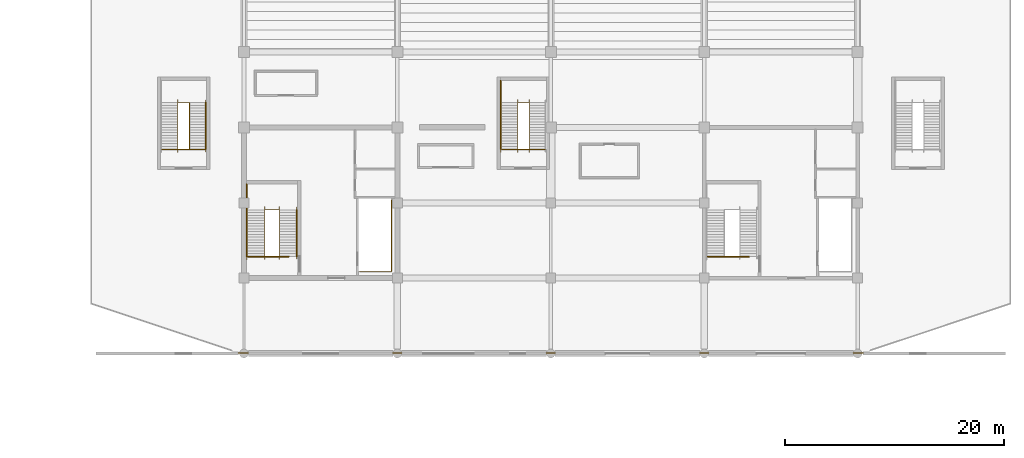
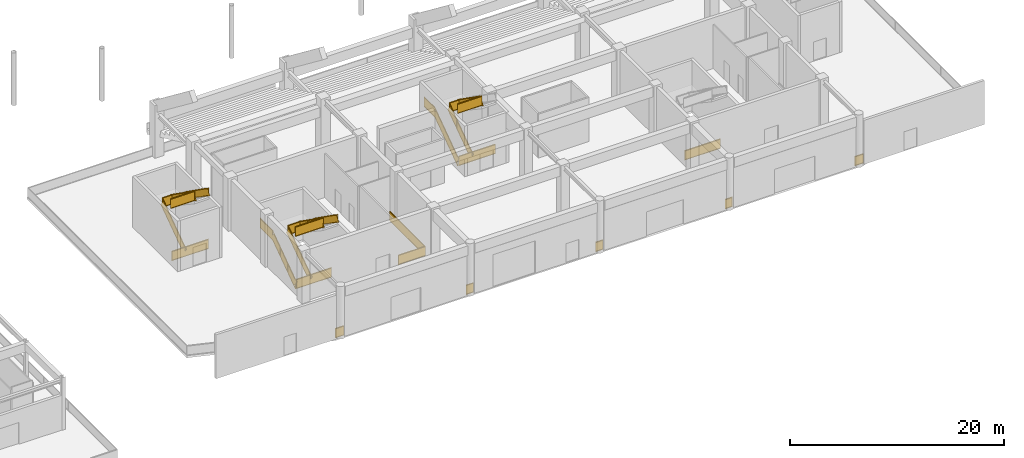
# One storey, part 59 of 73: 17 railings.
"""IFC4 building model written with IfcOpenShell, lengths in metres."""

from ifc_helpers import new_model, si_unit, direction, frame, origin, origin_2d, place, context, subcontext, project, spatial, rectangle, extrude, material, type_object, element, save


model = new_model("IFC4")

# Units and contexts
model_context = context("Model", 3, precision=1e-05, world=origin(), true_north=direction((0.0, 1.0)))
body_context = subcontext(model_context, "Body", "Model", "MODEL_VIEW")
ifc_project = project(units=[si_unit("LENGTHUNIT", "METRE"), si_unit("AREAUNIT", "SQUARE_METRE"), si_unit("VOLUMEUNIT", "CUBIC_METRE"), si_unit("PLANEANGLEUNIT", "RADIAN"), si_unit("MASSUNIT", "GRAM", prefix="KILO")], contexts=[model_context])

# Site, building, storey
site_placement = place(None, origin())
site = spatial("IfcSite", under=ifc_project, at=site_placement, CompositionType="ELEMENT")
building_placement = place(site_placement, origin())
building = spatial("IfcBuilding", under=site, at=building_placement, Name="Linyun Crest Stadium", CompositionType="ELEMENT")
storey_placement = place(building_placement, origin())
storey = spatial("IfcBuildingStorey", under=building, at=storey_placement, Name="L01", CompositionType="ELEMENT", Elevation=0.0)

# Railings
ifc_material_1 = material(Name="Galvanized and powder-coated steel bowl safety barrier", Category="steel")
railing_type_1 = type_object("IfcRailingType", Name="GR02", PredefinedType="GUARDRAIL", material=ifc_material_1)
railing_1_placement = place(storey_placement, frame((28.5, -94.06201171875, 0.0)))
element("IfcRailing", 1, at=railing_1_placement, inside=storey, type_object=railing_type_1, Name="Slab edge balustrade GR02 240", PredefinedType="GUARDRAIL", context=body_context, shape_type="SweptSolid", body=[
    extrude(rectangle(XDim=0.06005859375, YDim=0.06005859375, at=origin_2d()), frame((0.0, 0.0, 1.090087890625), z_axis=(-0.959737407008, -0.280898753271, 0.0), x_axis=(0.280898753271, -0.959737407008, 0.0)), (0.0, 0.0, 1.0), 0.010498046875),
    extrude(rectangle(XDim=0.030029296875, YDim=1.0, at=origin_2d()), frame((0.0, 0.0, 0.56005859375), z_axis=(-0.959737407008, -0.280898753271, 0.0), x_axis=(0.280898753271, -0.959737407008, 0.0)), (0.0, 0.0, 1.0), 0.010498046875),
    extrude(rectangle(XDim=0.06005859375, YDim=0.06005859375, at=origin_2d()), frame((0.0, 0.0, 0.030029296875), z_axis=(-0.959737407008, -0.280898753271, 0.0), x_axis=(0.280898753271, -0.959737407008, 0.0)), (0.0, 0.0, 1.0), 0.010498046875),
    extrude(rectangle(XDim=0.06005859375, YDim=0.06005859375, at=origin_2d()), frame((-0.010009765625, -0.0029296875, 1.090087890625), z_axis=(-1.0, 0.0, 0.0), x_axis=(0.0, -1.0, 0.0)), (0.0, 0.0, 1.0), 0.869873046875),
    extrude(rectangle(XDim=0.030029296875, YDim=1.0, at=origin_2d()), frame((-0.010009765625, -0.0029296875, 0.56005859375), z_axis=(-1.0, 0.0, 0.0), x_axis=(0.0, -1.0, 0.0)), (0.0, 0.0, 1.0), 0.869873046875),
    extrude(rectangle(XDim=0.06005859375, YDim=0.06005859375, at=origin_2d()), frame((-0.010009765625, -0.0029296875, 0.030029296875), z_axis=(-1.0, 0.0, 0.0), x_axis=(0.0, -1.0, 0.0)), (0.0, 0.0, 1.0), 0.869873046875),
    extrude(rectangle(XDim=0.050048828125, YDim=0.050048828125, at=origin_2d()), origin(), (0.0, 0.0, 1.0), 1.1201171875),
    extrude(rectangle(XDim=0.050048828125, YDim=0.050048828125, at=origin_2d()), frame((-0.8798828125, -0.0029296875, 0.0)), (0.0, 0.0, 1.0), 1.1201171875),
])
for number, where, name in (
    (2, (14.3798828125, -94.06494140625, 0.0), "Slab edge balustrade GR02 241"),
    (3, (0.3798828125, -94.06494140625, 0.0), "Slab edge balustrade GR02 242"),
    (4, (-13.6201171875, -94.06494140625, 0.0), "Slab edge balustrade GR02 243"),
):
    element("IfcRailing", number, at=place(storey_placement, frame(where)), inside=storey, type_object=railing_type_1, Name=name, PredefinedType="GUARDRAIL", context=body_context, shape_type="SweptSolid", body=[
        extrude(rectangle(XDim=0.06005859375, YDim=0.06005859375, at=origin_2d()), frame((0.0, 0.0, 1.090087890625), z_axis=(-1.0, 0.0, 0.0), x_axis=(0.0, -1.0, 0.0)), (0.0, 0.0, 1.0), 0.759765625),
        extrude(rectangle(XDim=0.030029296875, YDim=1.0, at=origin_2d()), frame((0.0, 0.0, 0.56005859375), z_axis=(-1.0, 0.0, 0.0), x_axis=(0.0, -1.0, 0.0)), (0.0, 0.0, 1.0), 0.759765625),
        extrude(rectangle(XDim=0.06005859375, YDim=0.06005859375, at=origin_2d()), frame((0.0, 0.0, 0.030029296875), z_axis=(-1.0, 0.0, 0.0), x_axis=(0.0, -1.0, 0.0)), (0.0, 0.0, 1.0), 0.759765625),
        extrude(rectangle(XDim=0.050048828125, YDim=0.050048828125, at=origin_2d()), origin(), (0.0, 0.0, 1.0), 1.1201171875),
        extrude(rectangle(XDim=0.050048828125, YDim=0.050048828125, at=origin_2d()), frame((-0.759765625, 0.0, 0.0)), (0.0, 0.0, 1.0), 1.1201171875),
    ])
railing_2_placement = place(storey_placement, frame((-27.6201171875, -94.06494140625, 0.0)))
element("IfcRailing", 5, at=railing_2_placement, inside=storey, type_object=railing_type_1, Name="Slab edge balustrade GR02 244", PredefinedType="GUARDRAIL", context=body_context, shape_type="SweptSolid", body=[
    extrude(rectangle(XDim=0.06005859375, YDim=0.06005859375, at=origin_2d()), frame((0.0, 0.0, 1.090087890625), z_axis=(-1.0, 0.0, 0.0), x_axis=(0.0, -1.0, 0.0)), (0.0, 0.0, 1.0), 0.869873046875),
    extrude(rectangle(XDim=0.030029296875, YDim=1.0, at=origin_2d()), frame((0.0, 0.0, 0.56005859375), z_axis=(-1.0, 0.0, 0.0), x_axis=(0.0, -1.0, 0.0)), (0.0, 0.0, 1.0), 0.869873046875),
    extrude(rectangle(XDim=0.06005859375, YDim=0.06005859375, at=origin_2d()), frame((0.0, 0.0, 0.030029296875), z_axis=(-1.0, 0.0, 0.0), x_axis=(0.0, -1.0, 0.0)), (0.0, 0.0, 1.0), 0.869873046875),
    extrude(rectangle(XDim=0.06005859375, YDim=0.06005859375, at=origin_2d()), frame((-0.869873046875, 0.0, 1.090087890625), z_axis=(-0.959737407008, 0.280898753271, 0.0), x_axis=(-0.280898753271, -0.959737407008, 0.0)), (0.0, 0.0, 1.0), 0.010498046875),
    extrude(rectangle(XDim=0.030029296875, YDim=1.0, at=origin_2d()), frame((-0.869873046875, 0.0, 0.56005859375), z_axis=(-0.959737407008, 0.280898753271, 0.0), x_axis=(-0.280898753271, -0.959737407008, 0.0)), (0.0, 0.0, 1.0), 0.010498046875),
    extrude(rectangle(XDim=0.06005859375, YDim=0.06005859375, at=origin_2d()), frame((-0.869873046875, 0.0, 0.030029296875), z_axis=(-0.959737407008, 0.280898753271, 0.0), x_axis=(-0.280898753271, -0.959737407008, 0.0)), (0.0, 0.0, 1.0), 0.010498046875),
    extrude(rectangle(XDim=0.050048828125, YDim=0.050048828125, at=origin_2d()), origin(), (0.0, 0.0, 1.0), 1.1201171875),
    extrude(rectangle(XDim=0.050048828125, YDim=0.050048828125, at=origin_2d()), frame((-0.869873046875, 0.0, 0.0)), (0.0, 0.0, 1.0), 1.1201171875),
])
railing_3_placement = place(storey_placement, frame((14.31494140625, -85.2900390625, 0.0)))
element("IfcRailing", 6, at=railing_3_placement, inside=storey, type_object=railing_type_1, Name="Slab edge balustrade GR02 248", PredefinedType="GUARDRAIL", context=body_context, shape_type="SweptSolid", body=[
    extrude(rectangle(XDim=0.06005859375, YDim=0.06005859375, at=origin_2d()), frame((0.0, 0.0, 1.090087890625), z_axis=(1.0, 0.0, 0.0), x_axis=(0.0, 1.0, 0.0)), (0.0, 0.0, 1.0), 3.78515625),
    extrude(rectangle(XDim=0.030029296875, YDim=1.0, at=origin_2d()), frame((0.0, 0.0, 0.56005859375), z_axis=(1.0, 0.0, 0.0), x_axis=(0.0, 1.0, 0.0)), (0.0, 0.0, 1.0), 3.78515625),
    extrude(rectangle(XDim=0.06005859375, YDim=0.06005859375, at=origin_2d()), frame((0.0, 0.0, 0.030029296875), z_axis=(1.0, 0.0, 0.0), x_axis=(0.0, 1.0, 0.0)), (0.0, 0.0, 1.0), 3.78515625),
    extrude(rectangle(XDim=0.050048828125, YDim=0.050048828125, at=origin_2d()), origin(), (0.0, 0.0, 1.0), 1.1201171875),
    extrude(rectangle(XDim=0.050048828125, YDim=0.050048828125, at=origin_2d()), frame((3.78515625, 0.0, 0.0)), (0.0, 0.0, 1.0), 1.1201171875),
])
railing_4_placement = place(storey_placement, frame((-4.4599609375, -75.510009765625, 0.0)))
element("IfcRailing", 7, at=railing_4_placement, inside=storey, type_object=railing_type_1, Name="Slab edge balustrade GR02 249", PredefinedType="GUARDRAIL", context=body_context, shape_type="SweptSolid", body=[
    extrude(rectangle(XDim=0.06005859375, YDim=0.06005859375, at=origin_2d()), frame((0.0, 0.0, 1.090087890625), z_axis=(1.0, 0.0, 0.0), x_axis=(0.0, 1.0, 0.0)), (0.0, 0.0, 1.0), 3.919921875),
    extrude(rectangle(XDim=0.030029296875, YDim=1.0, at=origin_2d()), frame((0.0, 0.0, 0.56005859375), z_axis=(1.0, 0.0, 0.0), x_axis=(0.0, 1.0, 0.0)), (0.0, 0.0, 1.0), 3.919921875),
    extrude(rectangle(XDim=0.06005859375, YDim=0.06005859375, at=origin_2d()), frame((0.0, 0.0, 0.030029296875), z_axis=(1.0, 0.0, 0.0), x_axis=(0.0, 1.0, 0.0)), (0.0, 0.0, 1.0), 3.919921875),
    extrude(rectangle(XDim=0.050048828125, YDim=0.050048828125, at=origin_2d()), origin(), (0.0, 0.0, 1.0), 1.1201171875),
    extrude(rectangle(XDim=0.050048828125, YDim=0.050048828125, at=origin_2d()), frame((3.919921875, 0.0, 0.0)), (0.0, 0.0, 1.0), 1.1201171875),
])
railing_5_placement = place(storey_placement, frame((-17.419921875, -86.659912109375, 0.0)))
element("IfcRailing", 8, at=railing_5_placement, inside=storey, type_object=railing_type_1, Name="Slab edge balustrade GR02 250", PredefinedType="GUARDRAIL", context=body_context, shape_type="SweptSolid", body=[
    extrude(rectangle(XDim=0.06005859375, YDim=0.06005859375, at=origin_2d()), frame((0.0, 0.0, 1.090087890625), z_axis=(1.0, 0.0, 0.0), x_axis=(0.0, 1.0, 0.0)), (0.0, 0.0, 1.0), 2.8798828125),
    extrude(rectangle(XDim=0.030029296875, YDim=1.0, at=origin_2d()), frame((0.0, 0.0, 0.56005859375), z_axis=(1.0, 0.0, 0.0), x_axis=(0.0, 1.0, 0.0)), (0.0, 0.0, 1.0), 2.8798828125),
    extrude(rectangle(XDim=0.06005859375, YDim=0.06005859375, at=origin_2d()), frame((0.0, 0.0, 0.030029296875), z_axis=(1.0, 0.0, 0.0), x_axis=(0.0, 1.0, 0.0)), (0.0, 0.0, 1.0), 2.8798828125),
    extrude(rectangle(XDim=0.06005859375, YDim=0.06005859375, at=origin_2d()), frame((2.8798828125, 0.0, 1.090087890625), z_axis=(0.0, 1.0, 0.0), x_axis=(-1.0, 0.0, 0.0)), (0.0, 0.0, 1.0), 6.5498046875),
    extrude(rectangle(XDim=0.030029296875, YDim=1.0, at=origin_2d()), frame((2.8798828125, 0.0, 0.56005859375), z_axis=(0.0, 1.0, 0.0), x_axis=(-1.0, 0.0, 0.0)), (0.0, 0.0, 1.0), 6.5498046875),
    extrude(rectangle(XDim=0.06005859375, YDim=0.06005859375, at=origin_2d()), frame((2.8798828125, 0.0, 0.030029296875), z_axis=(0.0, 1.0, 0.0), x_axis=(-1.0, 0.0, 0.0)), (0.0, 0.0, 1.0), 6.5498046875),
    extrude(rectangle(XDim=0.050048828125, YDim=0.050048828125, at=origin_2d()), origin(), (0.0, 0.0, 1.0), 1.1201171875),
    extrude(rectangle(XDim=0.050048828125, YDim=0.050048828125, at=origin_2d()), frame((2.8798828125, 0.0, 0.0)), (0.0, 0.0, 1.0), 1.1201171875),
    extrude(rectangle(XDim=0.050048828125, YDim=0.050048828125, at=origin_2d()), frame((2.8798828125, 3.27490234375, 0.0)), (0.0, 0.0, 1.0), 1.1201171875),
    extrude(rectangle(XDim=0.050048828125, YDim=0.050048828125, at=origin_2d()), frame((2.8798828125, 6.5498046875, 0.0)), (0.0, 0.0, 1.0), 1.1201171875),
])
railing_6_placement = place(storey_placement, frame((-27.635009765625, -85.2900390625, 0.0)))
element("IfcRailing", 9, at=railing_6_placement, inside=storey, type_object=railing_type_1, Name="Slab edge balustrade GR02 251", PredefinedType="GUARDRAIL", context=body_context, shape_type="SweptSolid", body=[
    extrude(rectangle(XDim=0.06005859375, YDim=0.06005859375, at=origin_2d()), frame((0.0, 0.0, 1.090087890625), z_axis=(1.0, 0.0, 0.0), x_axis=(0.0, 1.0, 0.0)), (0.0, 0.0, 1.0), 3.735107421875),
    extrude(rectangle(XDim=0.030029296875, YDim=1.0, at=origin_2d()), frame((0.0, 0.0, 0.56005859375), z_axis=(1.0, 0.0, 0.0), x_axis=(0.0, 1.0, 0.0)), (0.0, 0.0, 1.0), 3.735107421875),
    extrude(rectangle(XDim=0.06005859375, YDim=0.06005859375, at=origin_2d()), frame((0.0, 0.0, 0.030029296875), z_axis=(1.0, 0.0, 0.0), x_axis=(0.0, 1.0, 0.0)), (0.0, 0.0, 1.0), 3.735107421875),
    extrude(rectangle(XDim=0.050048828125, YDim=0.050048828125, at=origin_2d()), origin(), (0.0, 0.0, 1.0), 1.1201171875),
    extrude(rectangle(XDim=0.050048828125, YDim=0.050048828125, at=origin_2d()), frame((3.735107421875, 0.0, 0.0)), (0.0, 0.0, 1.0), 1.1201171875),
])
railing_7_placement = place(storey_placement, frame((-35.4599609375, -75.510009765625, 0.0)))
element("IfcRailing", 10, at=railing_7_placement, inside=storey, type_object=railing_type_1, Name="Slab edge balustrade GR02 252", PredefinedType="GUARDRAIL", context=body_context, shape_type="SweptSolid", body=[
    extrude(rectangle(XDim=0.06005859375, YDim=0.06005859375, at=origin_2d()), frame((0.0, 0.0, 1.090087890625), z_axis=(1.0, 0.0, 0.0), x_axis=(0.0, 1.0, 0.0)), (0.0, 0.0, 1.0), 3.919921875),
    extrude(rectangle(XDim=0.030029296875, YDim=1.0, at=origin_2d()), frame((0.0, 0.0, 0.56005859375), z_axis=(1.0, 0.0, 0.0), x_axis=(0.0, 1.0, 0.0)), (0.0, 0.0, 1.0), 3.919921875),
    extrude(rectangle(XDim=0.06005859375, YDim=0.06005859375, at=origin_2d()), frame((0.0, 0.0, 0.030029296875), z_axis=(1.0, 0.0, 0.0), x_axis=(0.0, 1.0, 0.0)), (0.0, 0.0, 1.0), 3.919921875),
    extrude(rectangle(XDim=0.050048828125, YDim=0.050048828125, at=origin_2d()), origin(), (0.0, 0.0, 1.0), 1.1201171875),
    extrude(rectangle(XDim=0.050048828125, YDim=0.050048828125, at=origin_2d()), frame((3.919921875, 0.0, 0.0)), (0.0, 0.0, 1.0), 1.1201171875),
])
ifc_material_2 = material(Name="Painted steel stairwell safety guard", Category="steel")
railing_type_2 = type_object("IfcRailingType", Name="GR03", PredefinedType="GUARDRAIL", material=ifc_material_2)
railing_8_placement = place(storey_placement, frame((-27.7451171875, -85.260009765625, 0.0)))
element("IfcRailing", 11, at=railing_8_placement, inside=storey, type_object=railing_type_2, Name="STR-09-L01 outer guard", PredefinedType="GUARDRAIL", context=body_context, shape_type="SweptSolid", body=[
    extrude(rectangle(XDim=0.06005859375, YDim=0.06005859375, at=origin_2d()), frame((0.0, 0.0, 1.090087890625), z_axis=(0.0, 0.816967863265, 0.576683197599), x_axis=(-1.0, 0.0, 0.0)), (0.0, 0.0, 1.0), 5.2021484375),
    extrude(rectangle(XDim=0.030029296875, YDim=1.0, at=origin_2d()), frame((0.0, 0.0, 0.56005859375), z_axis=(0.0, 0.816967863265, 0.576683197599), x_axis=(-1.0, 0.0, 0.0)), (0.0, 0.0, 1.0), 5.2021484375),
    extrude(rectangle(XDim=0.06005859375, YDim=0.06005859375, at=origin_2d()), frame((0.0, 0.0, 0.030029296875), z_axis=(0.0, 0.816967863265, 0.576683197599), x_axis=(-1.0, 0.0, 0.0)), (0.0, 0.0, 1.0), 5.2021484375),
    extrude(rectangle(XDim=0.06005859375, YDim=0.06005859375, at=origin_2d()), frame((0.0, 4.25, 4.090087890625), z_axis=(0.0, 1.0, 0.0), x_axis=(-1.0, 0.0, 0.0)), (0.0, 0.0, 1.0), 2.330078125),
    extrude(rectangle(XDim=0.030029296875, YDim=1.0, at=origin_2d()), frame((0.0, 4.25, 3.56005859375), z_axis=(0.0, 1.0, 0.0), x_axis=(-1.0, 0.0, 0.0)), (0.0, 0.0, 1.0), 2.330078125),
    extrude(rectangle(XDim=0.06005859375, YDim=0.06005859375, at=origin_2d()), frame((0.0, 4.25, 3.030029296875), z_axis=(0.0, 1.0, 0.0), x_axis=(-1.0, 0.0, 0.0)), (0.0, 0.0, 1.0), 2.330078125),
    extrude(rectangle(XDim=0.050048828125, YDim=0.050048828125, at=origin_2d()), origin(), (0.0, 0.0, 1.0), 1.1201171875),
    extrude(rectangle(XDim=0.050048828125, YDim=0.050048828125, at=origin_2d()), frame((0.0, 1.416748046875, 1.0)), (0.0, 0.0, 1.0), 1.1201171875),
    extrude(rectangle(XDim=0.050048828125, YDim=0.050048828125, at=origin_2d()), frame((0.0, 2.833251953125, 2.0)), (0.0, 0.0, 1.0), 1.1201171875),
    extrude(rectangle(XDim=0.050048828125, YDim=0.050048828125, at=origin_2d()), frame((0.0, 4.25, 3.0)), (0.0, 0.0, 1.0), 1.1201171875),
    extrude(rectangle(XDim=0.050048828125, YDim=0.050048828125, at=origin_2d()), frame((0.0, 5.4150390625, 3.0)), (0.0, 0.0, 1.0), 1.1201171875),
    extrude(rectangle(XDim=0.050048828125, YDim=0.050048828125, at=origin_2d()), frame((0.0, 6.580078125, 3.0)), (0.0, 0.0, 1.0), 1.1201171875),
])
railing_9_placement = place(storey_placement, frame((-26.10498046875, -85.280029296875, 0.0)))
element("IfcRailing", 12, at=railing_9_placement, inside=storey, type_object=railing_type_2, Name="STR-09-L01 inner well guard", PredefinedType="GUARDRAIL", context=body_context, shape_type="SweptSolid", body=[
    extrude(rectangle(XDim=0.06005859375, YDim=0.06005859375, at=origin_2d()), frame((0.0, 0.0, 1.090087890625), z_axis=(0.0, 0.818241657069, 0.574874412926), x_axis=(-1.0, 0.0, 0.0)), (0.0, 0.0, 1.0), 5.218505859375),
    extrude(rectangle(XDim=0.030029296875, YDim=1.0, at=origin_2d()), frame((0.0, 0.0, 0.56005859375), z_axis=(0.0, 0.818241657069, 0.574874412926), x_axis=(-1.0, 0.0, 0.0)), (0.0, 0.0, 1.0), 5.218505859375),
    extrude(rectangle(XDim=0.06005859375, YDim=0.06005859375, at=origin_2d()), frame((0.0, 0.0, 0.030029296875), z_axis=(0.0, 0.818241657069, 0.574874412926), x_axis=(-1.0, 0.0, 0.0)), (0.0, 0.0, 1.0), 5.218505859375),
    extrude(rectangle(XDim=0.06005859375, YDim=0.06005859375, at=origin_2d()), frame((0.0, 4.27001953125, 4.090087890625), z_axis=(1.0, 0.0, 0.0), x_axis=(0.0, 1.0, 0.0)), (0.0, 0.0, 1.0), 1.3349609375),
    extrude(rectangle(XDim=0.030029296875, YDim=1.0, at=origin_2d()), frame((0.0, 4.27001953125, 3.56005859375), z_axis=(1.0, 0.0, 0.0), x_axis=(0.0, 1.0, 0.0)), (0.0, 0.0, 1.0), 1.3349609375),
    extrude(rectangle(XDim=0.06005859375, YDim=0.06005859375, at=origin_2d()), frame((0.0, 4.27001953125, 3.030029296875), z_axis=(1.0, 0.0, 0.0), x_axis=(0.0, 1.0, 0.0)), (0.0, 0.0, 1.0), 1.3349609375),
    extrude(rectangle(XDim=0.06005859375, YDim=0.06005859375, at=origin_2d()), frame((1.3349609375, 4.27001953125, 4.090087890625), z_axis=(0.0, -0.818241657069, 0.574874412926), x_axis=(1.0, 0.0, 0.0)), (0.0, 0.0, 1.0), 5.218505859375),
    extrude(rectangle(XDim=0.030029296875, YDim=1.0, at=origin_2d()), frame((1.3349609375, 4.27001953125, 3.56005859375), z_axis=(0.0, -0.818241657069, 0.574874412926), x_axis=(1.0, 0.0, 0.0)), (0.0, 0.0, 1.0), 5.218505859375),
    extrude(rectangle(XDim=0.06005859375, YDim=0.06005859375, at=origin_2d()), frame((1.3349609375, 4.27001953125, 3.030029296875), z_axis=(0.0, -0.818241657069, 0.574874412926), x_axis=(1.0, 0.0, 0.0)), (0.0, 0.0, 1.0), 5.218505859375),
    extrude(rectangle(XDim=0.06005859375, YDim=0.06005859375, at=origin_2d()), frame((1.3349609375, 0.0, 7.090087890625), z_axis=(-1.0, 0.0, 0.0), x_axis=(0.0, -1.0, 0.0)), (0.0, 0.0, 1.0), 2.98486328125),
    extrude(rectangle(XDim=0.030029296875, YDim=1.0, at=origin_2d()), frame((1.3349609375, 0.0, 6.56005859375), z_axis=(-1.0, 0.0, 0.0), x_axis=(0.0, -1.0, 0.0)), (0.0, 0.0, 1.0), 2.98486328125),
    extrude(rectangle(XDim=0.06005859375, YDim=0.06005859375, at=origin_2d()), frame((1.3349609375, 0.0, 6.030029296875), z_axis=(-1.0, 0.0, 0.0), x_axis=(0.0, -1.0, 0.0)), (0.0, 0.0, 1.0), 2.98486328125),
    extrude(rectangle(XDim=0.050048828125, YDim=0.050048828125, at=origin_2d()), origin(), (0.0, 0.0, 1.0), 1.1201171875),
    extrude(rectangle(XDim=0.050048828125, YDim=0.050048828125, at=origin_2d()), frame((0.0, 1.42333984375, 1.0)), (0.0, 0.0, 1.0), 1.1201171875),
    extrude(rectangle(XDim=0.050048828125, YDim=0.050048828125, at=origin_2d()), frame((0.0, 2.8466796875, 2.0)), (0.0, 0.0, 1.0), 1.1201171875),
    extrude(rectangle(XDim=0.050048828125, YDim=0.050048828125, at=origin_2d()), frame((0.0, 4.27001953125, 3.0)), (0.0, 0.0, 1.0), 1.1201171875),
    extrude(rectangle(XDim=0.050048828125, YDim=0.050048828125, at=origin_2d()), frame((1.3349609375, 4.27001953125, 3.0)), (0.0, 0.0, 1.0), 1.1201171875),
    extrude(rectangle(XDim=0.050048828125, YDim=0.050048828125, at=origin_2d()), frame((1.3349609375, 2.8466796875, 4.0)), (0.0, 0.0, 1.0), 1.1201171875),
    extrude(rectangle(XDim=0.050048828125, YDim=0.050048828125, at=origin_2d()), frame((1.3349609375, 1.42333984375, 5.0)), (0.0, 0.0, 1.0), 1.1201171875),
    extrude(rectangle(XDim=0.050048828125, YDim=0.050048828125, at=origin_2d()), frame((1.3349609375, 0.0, 6.0)), (0.0, 0.0, 1.0), 1.1201171875),
    extrude(rectangle(XDim=0.050048828125, YDim=0.050048828125, at=origin_2d()), frame((-0.157470703125, 0.0, 6.0)), (0.0, 0.0, 1.0), 1.1201171875),
    extrude(rectangle(XDim=0.050048828125, YDim=0.050048828125, at=origin_2d()), frame((-1.64990234375, 0.0, 6.0)), (0.0, 0.0, 1.0), 1.1201171875),
])
railing_10_placement = place(storey_placement, frame((-34.030029296875, -75.5, 0.0)))
element("IfcRailing", 13, at=railing_10_placement, inside=storey, type_object=railing_type_2, Name="STR-27-L01 inner well guard", PredefinedType="GUARDRAIL", context=body_context, shape_type="SweptSolid", body=[
    extrude(rectangle(XDim=0.06005859375, YDim=0.06005859375, at=origin_2d()), frame((0.0, 0.0, 1.090087890625), z_axis=(0.0, 0.818241657069, 0.574874412926), x_axis=(-1.0, 0.0, 0.0)), (0.0, 0.0, 1.0), 5.218505859375),
    extrude(rectangle(XDim=0.030029296875, YDim=1.0, at=origin_2d()), frame((0.0, 0.0, 0.56005859375), z_axis=(0.0, 0.818241657069, 0.574874412926), x_axis=(-1.0, 0.0, 0.0)), (0.0, 0.0, 1.0), 5.218505859375),
    extrude(rectangle(XDim=0.06005859375, YDim=0.06005859375, at=origin_2d()), frame((0.0, 0.0, 0.030029296875), z_axis=(0.0, 0.818241657069, 0.574874412926), x_axis=(-1.0, 0.0, 0.0)), (0.0, 0.0, 1.0), 5.218505859375),
    extrude(rectangle(XDim=0.06005859375, YDim=0.06005859375, at=origin_2d()), frame((0.0, 4.27001953125, 4.090087890625), z_axis=(1.0, 0.0, 0.0), x_axis=(0.0, 1.0, 0.0)), (0.0, 0.0, 1.0), 1.06005859375),
    extrude(rectangle(XDim=0.030029296875, YDim=1.0, at=origin_2d()), frame((0.0, 4.27001953125, 3.56005859375), z_axis=(1.0, 0.0, 0.0), x_axis=(0.0, 1.0, 0.0)), (0.0, 0.0, 1.0), 1.06005859375),
    extrude(rectangle(XDim=0.06005859375, YDim=0.06005859375, at=origin_2d()), frame((0.0, 4.27001953125, 3.030029296875), z_axis=(1.0, 0.0, 0.0), x_axis=(0.0, 1.0, 0.0)), (0.0, 0.0, 1.0), 1.06005859375),
    extrude(rectangle(XDim=0.06005859375, YDim=0.06005859375, at=origin_2d()), frame((1.06005859375, 4.27001953125, 4.090087890625), z_axis=(0.0, -0.818241657069, 0.574874412926), x_axis=(1.0, 0.0, 0.0)), (0.0, 0.0, 1.0), 5.218505859375),
    extrude(rectangle(XDim=0.030029296875, YDim=1.0, at=origin_2d()), frame((1.06005859375, 4.27001953125, 3.56005859375), z_axis=(0.0, -0.818241657069, 0.574874412926), x_axis=(1.0, 0.0, 0.0)), (0.0, 0.0, 1.0), 5.218505859375),
    extrude(rectangle(XDim=0.06005859375, YDim=0.06005859375, at=origin_2d()), frame((1.06005859375, 4.27001953125, 3.030029296875), z_axis=(0.0, -0.818241657069, 0.574874412926), x_axis=(1.0, 0.0, 0.0)), (0.0, 0.0, 1.0), 5.218505859375),
    extrude(rectangle(XDim=0.06005859375, YDim=0.06005859375, at=origin_2d()), frame((1.06005859375, 0.0, 7.090087890625), z_axis=(-1.0, 0.0, 0.0), x_axis=(0.0, -1.0, 0.0)), (0.0, 0.0, 1.0), 2.610107421875),
    extrude(rectangle(XDim=0.030029296875, YDim=1.0, at=origin_2d()), frame((1.06005859375, 0.0, 6.56005859375), z_axis=(-1.0, 0.0, 0.0), x_axis=(0.0, -1.0, 0.0)), (0.0, 0.0, 1.0), 2.610107421875),
    extrude(rectangle(XDim=0.06005859375, YDim=0.06005859375, at=origin_2d()), frame((1.06005859375, 0.0, 6.030029296875), z_axis=(-1.0, 0.0, 0.0), x_axis=(0.0, -1.0, 0.0)), (0.0, 0.0, 1.0), 2.610107421875),
    extrude(rectangle(XDim=0.050048828125, YDim=0.050048828125, at=origin_2d()), origin(), (0.0, 0.0, 1.0), 1.1201171875),
    extrude(rectangle(XDim=0.050048828125, YDim=0.050048828125, at=origin_2d()), frame((0.0, 1.42333984375, 1.0)), (0.0, 0.0, 1.0), 1.1201171875),
    extrude(rectangle(XDim=0.050048828125, YDim=0.050048828125, at=origin_2d()), frame((0.0, 2.8466796875, 2.0)), (0.0, 0.0, 1.0), 1.1201171875),
    extrude(rectangle(XDim=0.050048828125, YDim=0.050048828125, at=origin_2d()), frame((0.0, 4.27001953125, 3.0)), (0.0, 0.0, 1.0), 1.1201171875),
    extrude(rectangle(XDim=0.050048828125, YDim=0.050048828125, at=origin_2d()), frame((1.06005859375, 4.27001953125, 3.0)), (0.0, 0.0, 1.0), 1.1201171875),
    extrude(rectangle(XDim=0.050048828125, YDim=0.050048828125, at=origin_2d()), frame((1.06005859375, 2.8466796875, 4.0)), (0.0, 0.0, 1.0), 1.1201171875),
    extrude(rectangle(XDim=0.050048828125, YDim=0.050048828125, at=origin_2d()), frame((1.06005859375, 1.42333984375, 5.0)), (0.0, 0.0, 1.0), 1.1201171875),
    extrude(rectangle(XDim=0.050048828125, YDim=0.050048828125, at=origin_2d()), frame((1.06005859375, 0.0, 6.0)), (0.0, 0.0, 1.0), 1.1201171875),
    extrude(rectangle(XDim=0.050048828125, YDim=0.050048828125, at=origin_2d()), frame((-0.2451171875, 0.0, 6.0)), (0.0, 0.0, 1.0), 1.1201171875),
    extrude(rectangle(XDim=0.050048828125, YDim=0.050048828125, at=origin_2d()), frame((-1.550048828125, 0.0, 6.0)), (0.0, 0.0, 1.0), 1.1201171875),
])
railing_11_placement = place(storey_placement, frame((-4.570068359375, -75.47998046875, 0.0)))
element("IfcRailing", 14, at=railing_11_placement, inside=storey, type_object=railing_type_2, Name="STR-28-L01 outer guard", PredefinedType="GUARDRAIL", context=body_context, shape_type="SweptSolid", body=[
    extrude(rectangle(XDim=0.06005859375, YDim=0.06005859375, at=origin_2d()), frame((0.0, 0.0, 1.090087890625), z_axis=(0.0, 0.816967863265, 0.576683197599), x_axis=(-1.0, 0.0, 0.0)), (0.0, 0.0, 1.0), 5.2021484375),
    extrude(rectangle(XDim=0.030029296875, YDim=1.0, at=origin_2d()), frame((0.0, 0.0, 0.56005859375), z_axis=(0.0, 0.816967863265, 0.576683197599), x_axis=(-1.0, 0.0, 0.0)), (0.0, 0.0, 1.0), 5.2021484375),
    extrude(rectangle(XDim=0.06005859375, YDim=0.06005859375, at=origin_2d()), frame((0.0, 0.0, 0.030029296875), z_axis=(0.0, 0.816967863265, 0.576683197599), x_axis=(-1.0, 0.0, 0.0)), (0.0, 0.0, 1.0), 5.2021484375),
    extrude(rectangle(XDim=0.06005859375, YDim=0.06005859375, at=origin_2d()), frame((0.0, 4.25, 4.090087890625), z_axis=(0.0, 1.0, 0.0), x_axis=(-1.0, 0.0, 0.0)), (0.0, 0.0, 1.0), 2.0),
    extrude(rectangle(XDim=0.030029296875, YDim=1.0, at=origin_2d()), frame((0.0, 4.25, 3.56005859375), z_axis=(0.0, 1.0, 0.0), x_axis=(-1.0, 0.0, 0.0)), (0.0, 0.0, 1.0), 2.0),
    extrude(rectangle(XDim=0.06005859375, YDim=0.06005859375, at=origin_2d()), frame((0.0, 4.25, 3.030029296875), z_axis=(0.0, 1.0, 0.0), x_axis=(-1.0, 0.0, 0.0)), (0.0, 0.0, 1.0), 2.0),
    extrude(rectangle(XDim=0.050048828125, YDim=0.050048828125, at=origin_2d()), origin(), (0.0, 0.0, 1.0), 1.1201171875),
    extrude(rectangle(XDim=0.050048828125, YDim=0.050048828125, at=origin_2d()), frame((0.0, 1.416748046875, 1.0)), (0.0, 0.0, 1.0), 1.1201171875),
    extrude(rectangle(XDim=0.050048828125, YDim=0.050048828125, at=origin_2d()), frame((0.0, 2.833251953125, 2.0)), (0.0, 0.0, 1.0), 1.1201171875),
    extrude(rectangle(XDim=0.050048828125, YDim=0.050048828125, at=origin_2d()), frame((0.0, 4.25, 3.0)), (0.0, 0.0, 1.0), 1.1201171875),
    extrude(rectangle(XDim=0.050048828125, YDim=0.050048828125, at=origin_2d()), frame((0.0, 6.25, 3.0)), (0.0, 0.0, 1.0), 1.1201171875),
])
railing_12_placement = place(storey_placement, frame((-3.030029296875, -75.5, 0.0)))
element("IfcRailing", 15, at=railing_12_placement, inside=storey, type_object=railing_type_2, Name="STR-28-L01 inner well guard", PredefinedType="GUARDRAIL", context=body_context, shape_type="SweptSolid", body=[
    extrude(rectangle(XDim=0.06005859375, YDim=0.06005859375, at=origin_2d()), frame((0.0, 0.0, 1.090087890625), z_axis=(0.0, 0.818241657069, 0.574874412926), x_axis=(-1.0, 0.0, 0.0)), (0.0, 0.0, 1.0), 5.218505859375),
    extrude(rectangle(XDim=0.030029296875, YDim=1.0, at=origin_2d()), frame((0.0, 0.0, 0.56005859375), z_axis=(0.0, 0.818241657069, 0.574874412926), x_axis=(-1.0, 0.0, 0.0)), (0.0, 0.0, 1.0), 5.218505859375),
    extrude(rectangle(XDim=0.06005859375, YDim=0.06005859375, at=origin_2d()), frame((0.0, 0.0, 0.030029296875), z_axis=(0.0, 0.818241657069, 0.574874412926), x_axis=(-1.0, 0.0, 0.0)), (0.0, 0.0, 1.0), 5.218505859375),
    extrude(rectangle(XDim=0.06005859375, YDim=0.06005859375, at=origin_2d()), frame((0.0, 4.27001953125, 4.090087890625), z_axis=(1.0, 0.0, 0.0), x_axis=(0.0, 1.0, 0.0)), (0.0, 0.0, 1.0), 1.06005859375),
    extrude(rectangle(XDim=0.030029296875, YDim=1.0, at=origin_2d()), frame((0.0, 4.27001953125, 3.56005859375), z_axis=(1.0, 0.0, 0.0), x_axis=(0.0, 1.0, 0.0)), (0.0, 0.0, 1.0), 1.06005859375),
    extrude(rectangle(XDim=0.06005859375, YDim=0.06005859375, at=origin_2d()), frame((0.0, 4.27001953125, 3.030029296875), z_axis=(1.0, 0.0, 0.0), x_axis=(0.0, 1.0, 0.0)), (0.0, 0.0, 1.0), 1.06005859375),
    extrude(rectangle(XDim=0.06005859375, YDim=0.06005859375, at=origin_2d()), frame((1.06005859375, 4.27001953125, 4.090087890625), z_axis=(0.0, -0.818241657069, 0.574874412926), x_axis=(1.0, 0.0, 0.0)), (0.0, 0.0, 1.0), 5.218505859375),
    extrude(rectangle(XDim=0.030029296875, YDim=1.0, at=origin_2d()), frame((1.06005859375, 4.27001953125, 3.56005859375), z_axis=(0.0, -0.818241657069, 0.574874412926), x_axis=(1.0, 0.0, 0.0)), (0.0, 0.0, 1.0), 5.218505859375),
    extrude(rectangle(XDim=0.06005859375, YDim=0.06005859375, at=origin_2d()), frame((1.06005859375, 4.27001953125, 3.030029296875), z_axis=(0.0, -0.818241657069, 0.574874412926), x_axis=(1.0, 0.0, 0.0)), (0.0, 0.0, 1.0), 5.218505859375),
    extrude(rectangle(XDim=0.06005859375, YDim=0.06005859375, at=origin_2d()), frame((1.06005859375, 0.0, 7.090087890625), z_axis=(-1.0, 0.0, 0.0), x_axis=(0.0, -1.0, 0.0)), (0.0, 0.0, 1.0), 2.610107421875),
    extrude(rectangle(XDim=0.030029296875, YDim=1.0, at=origin_2d()), frame((1.06005859375, 0.0, 6.56005859375), z_axis=(-1.0, 0.0, 0.0), x_axis=(0.0, -1.0, 0.0)), (0.0, 0.0, 1.0), 2.610107421875),
    extrude(rectangle(XDim=0.06005859375, YDim=0.06005859375, at=origin_2d()), frame((1.06005859375, 0.0, 6.030029296875), z_axis=(-1.0, 0.0, 0.0), x_axis=(0.0, -1.0, 0.0)), (0.0, 0.0, 1.0), 2.610107421875),
    extrude(rectangle(XDim=0.050048828125, YDim=0.050048828125, at=origin_2d()), origin(), (0.0, 0.0, 1.0), 1.1201171875),
    extrude(rectangle(XDim=0.050048828125, YDim=0.050048828125, at=origin_2d()), frame((0.0, 1.42333984375, 1.0)), (0.0, 0.0, 1.0), 1.1201171875),
    extrude(rectangle(XDim=0.050048828125, YDim=0.050048828125, at=origin_2d()), frame((0.0, 2.8466796875, 2.0)), (0.0, 0.0, 1.0), 1.1201171875),
    extrude(rectangle(XDim=0.050048828125, YDim=0.050048828125, at=origin_2d()), frame((0.0, 4.27001953125, 3.0)), (0.0, 0.0, 1.0), 1.1201171875),
    extrude(rectangle(XDim=0.050048828125, YDim=0.050048828125, at=origin_2d()), frame((1.06005859375, 4.27001953125, 3.0)), (0.0, 0.0, 1.0), 1.1201171875),
    extrude(rectangle(XDim=0.050048828125, YDim=0.050048828125, at=origin_2d()), frame((1.06005859375, 2.8466796875, 4.0)), (0.0, 0.0, 1.0), 1.1201171875),
    extrude(rectangle(XDim=0.050048828125, YDim=0.050048828125, at=origin_2d()), frame((1.06005859375, 1.42333984375, 5.0)), (0.0, 0.0, 1.0), 1.1201171875),
    extrude(rectangle(XDim=0.050048828125, YDim=0.050048828125, at=origin_2d()), frame((1.06005859375, 0.0, 6.0)), (0.0, 0.0, 1.0), 1.1201171875),
    extrude(rectangle(XDim=0.050048828125, YDim=0.050048828125, at=origin_2d()), frame((-0.2451171875, 0.0, 6.0)), (0.0, 0.0, 1.0), 1.1201171875),
    extrude(rectangle(XDim=0.050048828125, YDim=0.050048828125, at=origin_2d()), frame((-1.550048828125, 0.0, 6.0)), (0.0, 0.0, 1.0), 1.1201171875),
])
ifc_material_3 = material(Name="Brushed stainless steel tubular handrail", Category="steel")
railing_type_3 = type_object("IfcRailingType", Name="HR01", PredefinedType="HANDRAIL", material=ifc_material_3)
for number, where, name in (
    (16, (-23.179931640625, -81.010009765625, 3.0), "STR-09-L01 handrail"),
    (17, (-31.47998046875, -71.22998046875, 3.0), "STR-27-L01 handrail"),
):
    element("IfcRailing", number, at=place(storey_placement, frame(where)), inside=storey, type_object=railing_type_3, Name=name, PredefinedType="HANDRAIL", context=body_context, shape_type="SweptSolid", body=[
        extrude(rectangle(XDim=0.06005859375, YDim=0.06005859375, at=origin_2d()), frame((0.0, 0.0, 0.889892578125), z_axis=(0.0, -0.816967863265, 0.576683197599), x_axis=(1.0, 0.0, 0.0)), (0.0, 0.0, 1.0), 5.2021484375),
        extrude(rectangle(XDim=0.030029296875, YDim=0.7998046875, at=origin_2d()), frame((0.0, 0.0, 0.4599609375), z_axis=(0.0, -0.816967863265, 0.576683197599), x_axis=(1.0, 0.0, 0.0)), (0.0, 0.0, 1.0), 5.2021484375),
        extrude(rectangle(XDim=0.06005859375, YDim=0.06005859375, at=origin_2d()), frame((0.0, 0.0, 0.030029296875), z_axis=(0.0, -0.816967863265, 0.576683197599), x_axis=(1.0, 0.0, 0.0)), (0.0, 0.0, 1.0), 5.2021484375),
        extrude(rectangle(XDim=0.050048828125, YDim=0.050048828125, at=origin_2d()), origin(), (0.0, 0.0, 1.0), 0.919921875),
        extrude(rectangle(XDim=0.050048828125, YDim=0.050048828125, at=origin_2d()), frame((0.0, -1.416748046875, 1.0)), (0.0, 0.0, 1.0), 0.919921875),
        extrude(rectangle(XDim=0.050048828125, YDim=0.050048828125, at=origin_2d()), frame((0.0, -2.833251953125, 2.0)), (0.0, 0.0, 1.0), 0.919921875),
        extrude(rectangle(XDim=0.050048828125, YDim=0.050048828125, at=origin_2d()), frame((0.0, -4.25, 3.0)), (0.0, 0.0, 1.0), 0.919921875),
    ])

save(model, "model.ifc")
